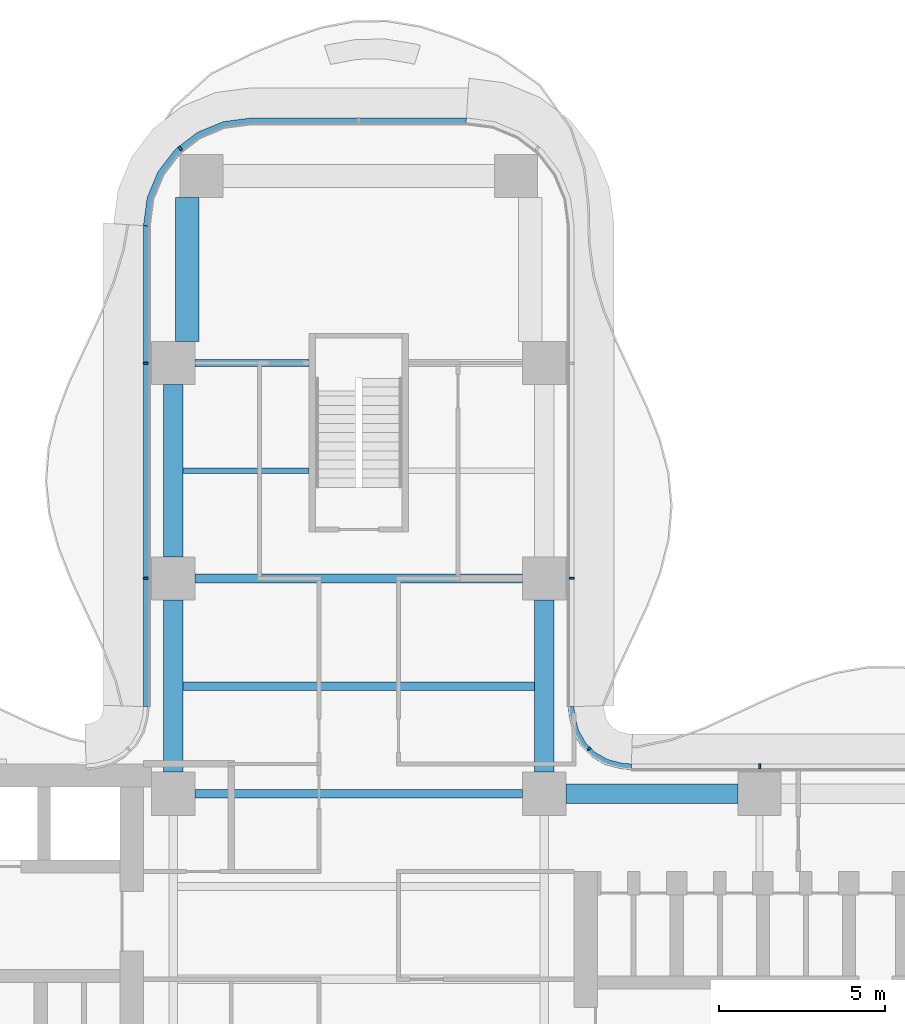
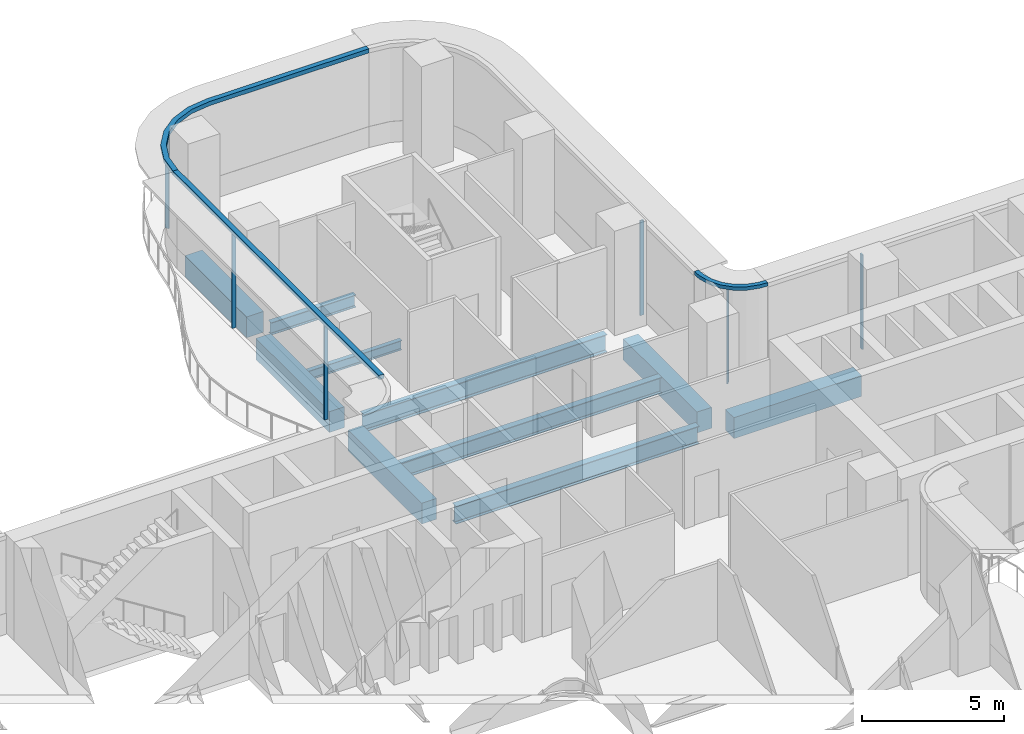
# One storey, part 9 of 21: 10 beams, 9 members, 5 elements without a shape of their own.
"""IFC4 building model written with IfcOpenShell, lengths in metres."""

import ifcopenshell
import ifcopenshell.guid

model = None  # the IFC model being written
_history = None  # IfcOwnerHistory: only IFC2X3 demands one
_inside = {}  # id of a spatial element -> (the spatial element, [elements in it])
_under = {}  # id of a project, library or spatial element -> (it, [spatial elements below it])
_declared = {}  # id of a project -> (the project, [libraries it declares])
_typed = {}  # id of a type object -> (the type object, [elements of that type])
_made_of = {}  # id of a material, layer set ... -> (it, [elements and type objects made of it])


def new_model(schema):
    """Start an empty IFC model of exactly this schema.

    Asked for "IFC4X3", IfcOpenShell would pick the latest addendum, in which some entities
    have other attributes; the version numbers below select the first issue.
    IFC2X3 requires an IfcOwnerHistory on every rooted entity: one is made here for all.
    """
    global model, _history
    if schema == "IFC4X3":
        model = ifcopenshell.file(schema_version=(4, 3, 0, 0))
    else:
        model = ifcopenshell.file(schema=schema)
    _inside.clear()
    _under.clear()
    _declared.clear()
    _typed.clear()
    _made_of.clear()
    _history = None
    if model.schema == "IFC2X3":
        org = make("IfcOrganization", Name="unknown")
        user = make(
            "IfcPersonAndOrganization",
            ThePerson=make("IfcPerson", FamilyName="unknown"),
            TheOrganization=org,
        )
        app = make(
            "IfcApplication",
            ApplicationDeveloper=org,
            Version="unknown",
            ApplicationFullName="unknown",
            ApplicationIdentifier="unknown",
        )
        _history = make(
            "IfcOwnerHistory",
            OwningUser=user,
            OwningApplication=app,
            ChangeAction="ADDED",
            CreationDate=0,
        )
    return model


def make(cls, **values):
    """One entity of the class cls with the attributes given. An attribute that is None is left unset."""
    return model.create_entity(
        cls, **{name: value for name, value in values.items() if value is not None}
    )


def rooted(cls, **values):
    """An entity with a GlobalId (a new one), such as an element, a storey or a relation."""
    return make(cls, GlobalId=ifcopenshell.guid.new(), OwnerHistory=_history, **values)


def si_unit(unit_type, name, prefix=None):
    """IfcSIUnit, for example si_unit("LENGTHUNIT", "METRE", prefix="MILLI")."""
    return make("IfcSIUnit", UnitType=unit_type, Prefix=prefix, Name=name)


def assignment(units):
    """IfcUnitAssignment: the units of a project."""
    return None if units is None else make("IfcUnitAssignment", Units=units)


def point(xyz):
    """IfcCartesianPoint."""
    return None if xyz is None else make("IfcCartesianPoint", Coordinates=xyz)


def direction(xyz):
    """IfcDirection."""
    return None if xyz is None else make("IfcDirection", DirectionRatios=xyz)


def frame(location, z_axis=None, x_axis=None):
    """IfcAxis2Placement3D, a coordinate frame: its origin and axes. An axis left out is left unset."""
    return make(
        "IfcAxis2Placement3D",
        Location=point(location),
        Axis=direction(z_axis),
        RefDirection=direction(x_axis),
    )


def frame_2d(location, x_axis=None):
    """IfcAxis2Placement2D, a coordinate frame in the plane: its origin and x axis."""
    return make(
        "IfcAxis2Placement2D", Location=point(location), RefDirection=direction(x_axis)
    )


def origin():
    """The frame at (0, 0, 0) with its axes left unset."""
    return frame((0.0, 0.0, 0.0))


def origin_2d():
    """The frame at (0, 0) in the plane with its x axis left unset."""
    return frame_2d((0.0, 0.0))


def place(relative_to, where):
    """IfcLocalPlacement: puts the frame where relative to a parent placement (None: the world)."""
    return make(
        "IfcLocalPlacement", PlacementRelTo=relative_to, RelativePlacement=where
    )


def context(
    kind, dimensions, precision=None, world=None, true_north=None, identifier=None
):
    """IfcGeometricRepresentationContext, for example the 3D "Model" context."""
    return make(
        "IfcGeometricRepresentationContext",
        ContextIdentifier=identifier,
        ContextType=kind,
        CoordinateSpaceDimension=dimensions,
        Precision=precision,
        WorldCoordinateSystem=world,
        TrueNorth=true_north,
    )


def subcontext(parent, identifier, kind, view, scale=None):
    """IfcGeometricRepresentationSubContext, for example "Body" below "Model"."""
    return make(
        "IfcGeometricRepresentationSubContext",
        ContextIdentifier=identifier,
        ContextType=kind,
        ParentContext=parent,
        TargetScale=scale,
        TargetView=view,
    )


def project(units=None, contexts=None):
    """IfcProject with its units and contexts."""
    return rooted(
        "IfcProject",
        Name="project",
        RepresentationContexts=contexts,
        UnitsInContext=assignment(units),
    )


def spatial(cls, under=None, at=None, **own):
    """A site, building, storey or space (cls), placed at a placement, below another one or the project."""
    s = rooted(cls, ObjectPlacement=at, **own)
    if under is not None:
        _under.setdefault(under.id(), (under, []))[1].append(s)
    return s


def polyline(points):
    """IfcPolyline through the points."""
    return make("IfcPolyline", Points=[point(p) for p in points])


def profile(cls, at=None, kind="AREA", **sizes):
    """A parametric profile (cls). Its sizes go by their IFC names, for example OverallWidth=200.0."""
    return make(cls, ProfileType=kind, Position=at, **sizes)


def rectangle(**sizes):
    """IfcRectangleProfileDef."""
    return profile("IfcRectangleProfileDef", **sizes)


def i_section(**sizes):
    """IfcIShapeProfileDef."""
    return profile("IfcIShapeProfileDef", **sizes)


def outline(outer, holes=None, kind="AREA"):
    """IfcArbitraryClosedProfileDef: a profile drawn as a closed curve; with holes, ...WithVoids."""
    if holes is None:
        return make("IfcArbitraryClosedProfileDef", ProfileType=kind, OuterCurve=outer)
    return make(
        "IfcArbitraryProfileDefWithVoids",
        ProfileType=kind,
        OuterCurve=outer,
        InnerCurves=holes,
    )


def extrude(swept, where, along, depth):
    """IfcExtrudedAreaSolid: the profile swept, set in the frame where, extruded along a direction by depth."""
    return make(
        "IfcExtrudedAreaSolid",
        SweptArea=swept,
        Position=where,
        ExtrudedDirection=direction(along),
        Depth=depth,
    )


def shape(context_of_items, identifier, shape_type, items):
    """IfcShapeRepresentation: the items that make up one representation, for example the "Body"."""
    return make(
        "IfcShapeRepresentation",
        ContextOfItems=context_of_items,
        RepresentationIdentifier=identifier,
        RepresentationType=shape_type,
        Items=items,
    )


def source(mapping_origin, context_of_items, identifier, shape_type, items):
    """IfcRepresentationMap: a shape defined once, which mapped items show again and again."""
    return make(
        "IfcRepresentationMap",
        MappingOrigin=mapping_origin,
        MappedRepresentation=shape(context_of_items, identifier, shape_type, items),
    )


def transform(
    local_origin,
    x_axis=None,
    y_axis=None,
    z_axis=None,
    scale=None,
    scale2=None,
    scale3=None,
    uniform=True,
):
    """IfcCartesianTransformationOperator3D, or its non-uniform kind. x_axis, y_axis, z_axis: its Axis1, 2, 3."""
    if uniform:
        return make(
            "IfcCartesianTransformationOperator3D",
            Axis1=direction(x_axis),
            Axis2=direction(y_axis),
            LocalOrigin=point(local_origin),
            Scale=scale,
            Axis3=direction(z_axis),
        )
    return make(
        "IfcCartesianTransformationOperator3DnonUniform",
        Axis1=direction(x_axis),
        Axis2=direction(y_axis),
        LocalOrigin=point(local_origin),
        Scale=scale,
        Axis3=direction(z_axis),
        Scale2=scale2,
        Scale3=scale3,
    )


def mapped(mapping_source, mapping_target):
    """IfcMappedItem: shows the shape of a source again, moved by a transform."""
    return make(
        "IfcMappedItem", MappingSource=mapping_source, MappingTarget=mapping_target
    )


def material(Name=None, Category=None):
    """IfcMaterial."""
    return make("IfcMaterial", Name=Name, Category=Category)


def layer(
    of_material, thickness, ventilated=None, Name=None, Category=None, Priority=None
):
    """IfcMaterialLayer: one layer of a wall or slab, of a material (None: an air gap)."""
    return make(
        "IfcMaterialLayer",
        Material=of_material,
        LayerThickness=thickness,
        IsVentilated=ventilated,
        Name=Name,
        Category=Category,
        Priority=Priority,
    )


def layer_set(layers, Name=None):
    """IfcMaterialLayerSet."""
    return make("IfcMaterialLayerSet", MaterialLayers=layers, LayerSetName=Name)


def material_profile(
    of_material, cross_section, Name=None, Category=None, Priority=None
):
    """IfcMaterialProfile: a cross section and its material."""
    return make(
        "IfcMaterialProfile",
        Name=Name,
        Material=of_material,
        Profile=cross_section,
        Priority=Priority,
        Category=Category,
    )


def profile_set(profiles, Name=None, composite=None):
    """IfcMaterialProfileSet."""
    return make(
        "IfcMaterialProfileSet",
        Name=Name,
        MaterialProfiles=profiles,
        CompositeProfile=composite,
    )


def made_of(thing, what):
    """Note that an element or type object is made of a material, layer set ...; save() writes the relation."""
    if what is not None:
        _made_of.setdefault(what.id(), (what, []))[1].append(thing)
    return thing


def type_object(cls, material=None, **own):
    """A type object (cls), such as IfcWallType, which elements share."""
    return made_of(rooted(cls, **own), material)


def element(
    cls,
    number,
    at=None,
    inside=None,
    cuts=None,
    type_object=None,
    material=None,
    context=None,
    identifier="Body",
    shape_type=None,
    held_by="IfcProductDefinitionShape",
    body=None,
    shapes=None,
    **own,
):
    """One element of the class cls, such as IfcWall. Its Tag is "e" and its number.

    at: its placement. inside: the storey or other place that contains it. cuts: it is an
    opening in that element (IfcRelVoidsElement). A single representation is given by context,
    identifier, shape_type and body (its items); several are given by shapes. held_by: the class
    of the entity that holds the representations. save() writes the other relations.
    """
    e = rooted(cls, Tag="e%d" % number, ObjectPlacement=at, **own)
    if body is not None:
        shapes = [shape(context, identifier, shape_type, body)]
    if shapes is not None:
        e.Representation = make(held_by, Representations=shapes)
    if inside is not None:
        _inside.setdefault(inside.id(), (inside, []))[1].append(e)
    if cuts is not None:
        rooted(
            "IfcRelVoidsElement", RelatingBuildingElement=cuts, RelatedOpeningElement=e
        )
    if type_object is not None:
        _typed.setdefault(type_object.id(), (type_object, []))[1].append(e)
    return made_of(e, material)


def aggregate(whole, parts):
    """IfcRelAggregates: a whole, such as a stair, and the parts it consists of."""
    return rooted("IfcRelAggregates", RelatingObject=whole, RelatedObjects=parts)


def save(model, path):
    """Write the relations noted so far, then the file.

    IfcRelAggregates (storeys below a building ...), IfcRelContainedInSpatialStructure (elements
    in a storey), IfcRelDefinesByType, IfcRelAssociatesMaterial and IfcRelDeclares: one each for
    every whole, place, type object, material and project.
    """
    for whole, parts in _under.values():
        aggregate(whole, parts)
    for where, things in _inside.values():
        rooted(
            "IfcRelContainedInSpatialStructure",
            RelatedElements=things,
            RelatingStructure=where,
        )
    for kind, things in _typed.values():
        rooted("IfcRelDefinesByType", RelatedObjects=things, RelatingType=kind)
    for what, things in _made_of.values():
        rooted("IfcRelAssociatesMaterial", RelatedObjects=things, RelatingMaterial=what)
    for by, libraries in _declared.values():
        rooted("IfcRelDeclares", RelatingContext=by, RelatedDefinitions=libraries)
    model.write(path)


model = new_model("IFC4")

# Units and contexts
model_context = context("Model", 3, precision=1e-05, world=origin(), true_north=direction((0.0, 1.0)))
body_context = subcontext(model_context, "Body", "Model", "MODEL_VIEW")
ifc_project = project(units=[si_unit("LENGTHUNIT", "METRE"), si_unit("AREAUNIT", "SQUARE_METRE"), si_unit("VOLUMEUNIT", "CUBIC_METRE"), si_unit("PLANEANGLEUNIT", "RADIAN"), si_unit("MASSUNIT", "GRAM", prefix="KILO")], contexts=[model_context])

# Site, building, storey
site_placement = place(None, origin())
site = spatial("IfcSite", under=ifc_project, at=site_placement, CompositionType="ELEMENT")
building_placement = place(site_placement, origin())
building = spatial("IfcBuilding", under=site, at=building_placement, Name="Trellis Farm Tower", CompositionType="ELEMENT")
storey_placement = place(building_placement, frame((0.0, 0.0, 147.0)))
storey = spatial("IfcBuildingStorey", under=building, at=storey_placement, Name="L31", CompositionType="ELEMENT", Elevation=147.0)

# Beams
ifc_material_1 = material(Name="Steel S355", Category="steel")
ifc_material_profile_1 = material_profile(ifc_material_1, i_section(OverallWidth=0.177978515625, OverallDepth=0.406494140625, WebThickness=0.0078125, FlangeThickness=0.0126953125, FilletRadius=0.01025390625, at=origin_2d()), Name="UB 406x178x60")
ifc_profile_set_1 = profile_set([ifc_material_profile_1], Name="Steel S355")
beam_type_1 = type_object("IfcBeamType", Name="UB 406x178x60 joist", PredefinedType="JOIST", material=ifc_profile_set_1)
shared_shape_1 = source(origin(), body_context, "Body", "SweptSolid", [
    extrude(i_section(OverallWidth=0.177978515625, OverallDepth=0.406494140625, WebThickness=0.0078125, FlangeThickness=0.0126953125, FilletRadius=0.01025390625, at=origin_2d()), origin(), (0.0, 0.0, 1.0), 3.800048828125),
])
beam_1_placement = place(storey_placement, frame((-5.300048828125, 15.35009765625, -0.453125), z_axis=(1.0, 0.0, 0.0), x_axis=(0.0, 1.0, 0.0)))
element("IfcBeam", 1, at=beam_1_placement, inside=storey, type_object=beam_type_1, Name="Floor beam", PredefinedType="JOIST", context=body_context, shape_type="MappedRepresentation", body=[
    mapped(shared_shape_1, transform((0.0, 0.0, 0.0))),
])
ifc_material_profile_2 = material_profile(ifc_material_1, i_section(OverallWidth=0.253662109375, OverallDepth=0.68359375, WebThickness=0.012451171875, FlangeThickness=0.021728515625, FilletRadius=0.01513671875, at=origin_2d()), Name="UB 686x254x140")
ifc_profile_set_2 = profile_set([ifc_material_profile_2], Name="Steel S355")
beam_type_2 = type_object("IfcBeamType", Name="UB 686x254x140 joist", PredefinedType="JOIST", material=ifc_profile_set_2)
shared_shape_2 = source(origin(), body_context, "Body", "SweptSolid", [
    extrude(i_section(OverallWidth=0.253662109375, OverallDepth=0.68359375, WebThickness=0.012451171875, FlangeThickness=0.021728515625, FilletRadius=0.01513671875, at=origin_2d()), origin(), (0.0, 0.0, 1.0), 10.60009765625),
])
beam_2_placement = place(storey_placement, frame((-5.300048828125, 8.85009765625, -0.591796875), z_axis=(1.0, 0.0, 0.0), x_axis=(0.0, 1.0, 0.0)))
element("IfcBeam", 2, at=beam_2_placement, inside=storey, type_object=beam_type_2, Name="Floor beam", PredefinedType="JOIST", context=body_context, shape_type="MappedRepresentation", body=[
    mapped(shared_shape_2, transform((0.0, 0.0, 0.0))),
])
ifc_material_profile_3 = material_profile(ifc_material_1, i_section(OverallWidth=0.209228515625, OverallDepth=0.533203125, WebThickness=0.010009765625, FlangeThickness=0.015625, FilletRadius=0.0126953125, at=origin_2d()), Name="UB 533x210x92")
ifc_profile_set_3 = profile_set([ifc_material_profile_3], Name="Steel S355")
beam_type_3 = type_object("IfcBeamType", Name="UB 533x210x92", PredefinedType="BEAM", material=ifc_profile_set_3)
shared_shape_3 = source(origin(), body_context, "Body", "SweptSolid", [
    extrude(i_section(OverallWidth=0.209228515625, OverallDepth=0.533203125, WebThickness=0.010009765625, FlangeThickness=0.015625, FilletRadius=0.0126953125, at=origin_2d()), origin(), (0.0, 0.0, 1.0), 3.449951171875),
])
beam_3_placement = place(storey_placement, frame((-4.949951171875, 18.60009765625, -0.5166015625), z_axis=(1.0, 0.0, 0.0), x_axis=(0.0, 1.0, 0.0)))
element("IfcBeam", 3, at=beam_3_placement, inside=storey, type_object=beam_type_3, Name="Girder", PredefinedType="BEAM", context=body_context, shape_type="MappedRepresentation", body=[
    mapped(shared_shape_3, transform((0.0, 0.0, 0.0))),
])
ifc_material_profile_4 = material_profile(ifc_material_1, i_section(OverallWidth=0.2666015625, OverallDepth=0.76220703125, WebThickness=0.014404296875, FlangeThickness=0.021484375, FilletRadius=0.0166015625, at=origin_2d()), Name="UB 762x267x173")
ifc_profile_set_4 = profile_set([ifc_material_profile_4], Name="Steel S355")
beam_type_4 = type_object("IfcBeamType", Name="UB 762x267x173", PredefinedType="BEAM", material=ifc_profile_set_4)
shared_shape_4 = source(origin(), body_context, "Body", "SweptSolid", [
    extrude(i_section(OverallWidth=0.2666015625, OverallDepth=0.76220703125, WebThickness=0.014404296875, FlangeThickness=0.021484375, FilletRadius=0.0166015625, at=origin_2d()), origin(), (0.0, 0.0, 1.0), 9.89990234375),
])
for number, where, z_axis, x_axis, name in (
    (4, (-4.949951171875, 5.60009765625, -0.631103515625), (1.0, 0.0, 0.0), (0.0, 1.0, 0.0), "Girder"),
    (5, (-4.949951171875, 12.10009765625, -0.631103515625), (1.0, 0.0, 0.0), (0.0, 1.0, 0.0), "Girder"),
):
    element("IfcBeam", number, at=place(storey_placement, frame(where, z_axis=z_axis, x_axis=x_axis)), inside=storey, type_object=beam_type_4, Name=name, PredefinedType="BEAM", context=body_context, shape_type="MappedRepresentation", body=[
        mapped(shared_shape_4, transform((0.0, 0.0, 0.0))),
    ])
ifc_material_2 = material(Name="Concrete C60/75", Category="concrete")
ifc_material_profile_5 = material_profile(ifc_material_2, rectangle(XDim=0.60009765625, YDim=0.89990234375, at=origin_2d()), Name="RC spandrel beam 600x900 C60/75")
ifc_profile_set_5 = profile_set([ifc_material_profile_5], Name="Concrete C60/75")
beam_type_5 = type_object("IfcBeamType", Name="RC spandrel beam 600x900 C60/75", PredefinedType="SPANDREL", material=ifc_profile_set_5)
shared_shape_5 = source(origin(), body_context, "Body", "SweptSolid", [
    extrude(rectangle(XDim=0.60009765625, YDim=0.89990234375, at=origin_2d()), origin(), (0.0, 0.0, 1.0), 5.199951171875),
])
for number, where, z_axis, x_axis, name in (
    (6, (6.25, 5.60009765625, -0.699951171875), (1.0, 0.0, 0.0), (0.0, 1.0, 0.0), "Girder"),
    (7, (-5.60009765625, 6.25, -0.699951171875), (0.0, 1.0, 0.0), (-1.0, 0.0, 0.0), "Girder"),
    (8, (-5.60009765625, 12.75, -0.699951171875), (0.0, 1.0, 0.0), (-1.0, 0.0, 0.0), "Girder"),
    (9, (5.60009765625, 6.25, -0.699951171875), (0.0, 1.0, 0.0), (-1.0, 0.0, 0.0), "Girder"),
):
    element("IfcBeam", number, at=place(storey_placement, frame(where, z_axis=z_axis, x_axis=x_axis)), inside=storey, type_object=beam_type_5, Name=name, PredefinedType="SPANDREL", context=body_context, shape_type="MappedRepresentation", body=[
        mapped(shared_shape_5, transform((0.0, 0.0, 0.0))),
    ])
ifc_material_profile_6 = material_profile(ifc_material_2, rectangle(XDim=0.699951171875, YDim=0.89990234375, at=origin_2d()), Name="RC spandrel beam 700x900 C60/75")
ifc_profile_set_6 = profile_set([ifc_material_profile_6], Name="Concrete C60/75")
beam_type_6 = type_object("IfcBeamType", Name="RC spandrel beam 700x900 C60/75", PredefinedType="SPANDREL", material=ifc_profile_set_6)
shared_shape_6 = source(origin(), body_context, "Body", "SweptSolid", [
    extrude(rectangle(XDim=0.699951171875, YDim=0.89990234375, at=origin_2d()), origin(), (0.0, 0.0, 1.0), 4.35009765625),
])
beam_4_placement = place(storey_placement, frame((-5.175048828125, 19.25, -0.699951171875), z_axis=(0.0, 1.0, 0.0), x_axis=(-1.0, 0.0, 0.0)))
element("IfcBeam", 10, at=beam_4_placement, inside=storey, type_object=beam_type_6, Name="Girder", PredefinedType="SPANDREL", context=body_context, shape_type="MappedRepresentation", body=[
    mapped(shared_shape_6, transform((0.0, 0.0, 0.0))),
])

# Curtain wall, member
ifc_material_3 = material(Name="Aluminium and glass curtain wall", Category="aluminium")
ifc_layer_1 = layer(ifc_material_3, 0.18994140625)
ifc_layer_set_1 = layer_set([ifc_layer_1], Name="RIBBON CURTAIN WALL CW1")
curtain_wall_type_1 = type_object("IfcCurtainWallType", Name="RIBBON CURTAIN WALL CW1", PredefinedType="NOTDEFINED", material=ifc_layer_set_1)
placement_1 = place(storey_placement, origin())
curtain_wall_1 = element("IfcCurtainWall", 11, at=placement_1, inside=storey, type_object=curtain_wall_type_1, Name="CW1 008", PredefinedType="NOTDEFINED")
ifc_material_4 = material(Name="Aluminium extrusion 6063-T6", Category="aluminium")
ifc_material_profile_7 = material_profile(ifc_material_4, rectangle(XDim=0.06005859375, YDim=0.14990234375, at=origin_2d()), Name="MULLION 60x150")
ifc_profile_set_7 = profile_set([ifc_material_profile_7], Name="Aluminium extrusion 6063-T6")
member_type_1 = type_object("IfcMemberType", Name="CW1 MULLION 60x150", PredefinedType="MULLION", material=ifc_profile_set_7)
shared_shape_7 = source(origin(), body_context, "Body", "SweptSolid", [
    extrude(rectangle(XDim=0.06005859375, YDim=0.14990234375, at=origin_2d()), origin(), (0.0, 0.0, 1.0), 4.070068359375),
])
member_1_placement = place(storey_placement, frame((12.10009765625, 6.425048828125, 0.0), z_axis=(0.0, 0.0, 1.0), x_axis=(-1.0, 0.0, 0.0)))
member_1 = element("IfcMember", 12, at=member_1_placement, type_object=member_type_1, Name="MU1 008-02", PredefinedType="MULLION", context=body_context, shape_type="MappedRepresentation", body=[
    mapped(shared_shape_7, transform((0.0, 0.0, 0.0))),
])
aggregate(curtain_wall_1, [member_1])

curtain_wall_2 = element("IfcCurtainWall", 13, at=placement_1, inside=storey, type_object=curtain_wall_type_1, Name="CW1 009", PredefinedType="NOTDEFINED")
member_2_placement = place(storey_placement, frame((6.425048828125, 12.10009765625, 0.0), z_axis=(0.0, 0.0, 1.0), x_axis=(0.0, 1.0, 0.0)))
member_2 = element("IfcMember", 14, at=member_2_placement, type_object=member_type_1, Name="MU1 009-01", PredefinedType="MULLION", context=body_context, shape_type="MappedRepresentation", body=[
    mapped(shared_shape_7, transform((0.0, 0.0, 0.0))),
])
aggregate(curtain_wall_2, [member_2])

curtain_wall_3 = element("IfcCurtainWall", 15, at=placement_1, inside=storey, type_object=curtain_wall_type_1, Name="CW1 010", PredefinedType="NOTDEFINED")
member_3_placement = place(storey_placement, frame((-5.385498046875, 25.078369140625, 0.0), z_axis=(0.0, 0.0, 1.0), x_axis=(-0.793353340291, -0.608761429009, 0.0)))
member_3 = element("IfcMember", 16, at=member_3_placement, type_object=member_type_1, Name="MU1 010-02", PredefinedType="MULLION", context=body_context, shape_type="MappedRepresentation", body=[
    mapped(shared_shape_7, transform((0.0, 0.0, 0.0))),
])

# Curtain wall, members
curtain_wall_4 = element("IfcCurtainWall", 17, at=placement_1, inside=storey, type_object=curtain_wall_type_1, Name="CW1 011", PredefinedType="NOTDEFINED")
member_4_placement = place(storey_placement, frame((-6.425048828125, 18.60009765625, 0.0), z_axis=(0.0, 0.0, 1.0), x_axis=(0.0, -1.0, 0.0)))
member_4 = element("IfcMember", 18, at=member_4_placement, type_object=member_type_1, Name="MU1 011-01", PredefinedType="MULLION", context=body_context, shape_type="MappedRepresentation", body=[
    mapped(shared_shape_7, transform((0.0, 0.0, 0.0))),
])
member_5_placement = place(storey_placement, frame((-6.425048828125, 12.10009765625, 0.0), z_axis=(0.0, 0.0, 1.0), x_axis=(0.0, -1.0, 0.0)))
member_5 = element("IfcMember", 19, at=member_5_placement, type_object=member_type_1, Name="MU1 011-02", PredefinedType="MULLION", context=body_context, shape_type="MappedRepresentation", body=[
    mapped(shared_shape_7, transform((0.0, 0.0, 0.0))),
])

ifc_layer_2 = layer(ifc_material_3, 0.166015625)
ifc_layer_set_2 = layer_set([ifc_layer_2], Name="WINTER GARDEN CURTAIN WALL CW3")
curtain_wall_type_2 = type_object("IfcCurtainWallType", Name="WINTER GARDEN CURTAIN WALL CW3", PredefinedType="NOTDEFINED", material=ifc_layer_set_2)
curtain_wall_5 = element("IfcCurtainWall", 20, at=placement_1, inside=storey, type_object=curtain_wall_type_2, Name="CW3 003", PredefinedType="NOTDEFINED")
ifc_material_profile_8 = material_profile(ifc_material_4, rectangle(XDim=0.050048828125, YDim=0.1201171875, at=origin_2d()), Name="MULLION 50x120")
ifc_profile_set_8 = profile_set([ifc_material_profile_8], Name="Aluminium extrusion 6063-T6")
member_type_2 = type_object("IfcMemberType", Name="CW3 MULLION 50x120", PredefinedType="MULLION", material=ifc_profile_set_8)
shared_shape_8 = source(origin(), body_context, "Body", "SweptSolid", [
    extrude(rectangle(XDim=0.050048828125, YDim=0.1201171875, at=origin_2d()), origin(), (0.0, 0.0, 1.0), 4.10009765625),
])
member_6_placement = place(storey_placement, frame((6.953125, 6.953125, 0.0), z_axis=(0.0, 0.0, 1.0), x_axis=(-0.707106781187, 0.707106781187, 0.0)))
member_6 = element("IfcMember", 21, at=member_6_placement, type_object=member_type_2, Name="MU3 003-01", PredefinedType="MULLION", context=body_context, shape_type="MappedRepresentation", body=[
    mapped(shared_shape_8, transform((0.0, 0.0, 0.0))),
])
ifc_layer_3 = layer(ifc_material_4, 0.169921875)
ifc_layer_set_3 = layer_set([ifc_layer_3], Name="Aluminium extrusion 6063-T6")
member_type_3 = type_object("IfcMemberType", Name="CW3 TRANSOM 170x150", PredefinedType="USERDEFINED", material=ifc_layer_set_3)
shared_shape_9 = source(origin(), body_context, "Body", "SweptSolid", [
    extrude(outline(polyline([(8.2314453125, 6.5), (8.01953125, 6.513916015625), (7.91552734375, 6.527587890625), (7.508544921875, 6.63671875), (7.144287109375, 6.846923828125), (6.846923828125, 7.144287109375), (6.63671875, 7.508544921875), (6.527587890625, 7.91552734375), (6.513916015625, 8.01953125), (6.5, 8.2314453125), (6.330078125, 8.225830078125), (6.3447265625, 8.0029296875), (6.360595703125, 7.88232421875), (6.478271484375, 7.44287109375), (6.7109375, 7.0400390625), (7.0400390625, 6.7109375), (7.44287109375, 6.478271484375), (7.88232421875, 6.360595703125), (8.0029296875, 6.3447265625), (8.225830078125, 6.330078125), (8.2314453125, 6.5)])), origin(), (0.0, 0.0, 1.0), 0.14990234375),
])
member_7_placement = place(storey_placement, frame((0.0, 0.0, 4.10009765625)))
member_7 = element("IfcMember", 22, at=member_7_placement, type_object=member_type_3, Name="TR3 003", ObjectType="TRANSOM", PredefinedType="USERDEFINED", context=body_context, shape_type="MappedRepresentation", body=[
    mapped(shared_shape_9, transform((0.0, 0.0, 0.0))),
])
aggregate(curtain_wall_5, [member_6, member_7])

# Member
ifc_layer_4 = layer(ifc_material_4, 0.199951171875)
ifc_layer_set_4 = layer_set([ifc_layer_4], Name="Aluminium extrusion 6063-T6")
member_type_4 = type_object("IfcMemberType", Name="CW1 TRANSOM 200x180", PredefinedType="USERDEFINED", material=ifc_layer_set_4)
shared_shape_10 = source(origin(), body_context, "Body", "SweptSolid", [
    extrude(outline(polyline([(-6.5, 22.75), (-6.5, 8.2314453125), (-6.300048828125, 8.224853515625), (-6.300048828125, 22.73681640625), (-6.5, 22.75)])), origin(), (0.0, 0.0, 1.0), 0.179931640625),
])
placement_2 = place(storey_placement, frame((0.0, 0.0, 4.070068359375)))
member_8 = element("IfcMember", 23, at=placement_2, type_object=member_type_4, Name="TR1 011", ObjectType="TRANSOM", PredefinedType="USERDEFINED", context=body_context, shape_type="MappedRepresentation", body=[
    mapped(shared_shape_10, transform((0.0, 0.0, 0.0))),
])

aggregate(curtain_wall_4, [member_4, member_5, member_8])

shared_shape_11 = source(origin(), body_context, "Body", "SweptSolid", [
    extrude(outline(polyline([(3.25, 26.0), (-3.25, 26.0), (-4.091064453125, 25.88916015625), (-4.875, 25.564697265625), (-5.548095703125, 25.048095703125), (-6.064697265625, 24.375), (-6.38916015625, 23.591064453125), (-6.5, 22.75), (-6.300048828125, 22.73681640625), (-6.1943359375, 23.5390625), (-5.889892578125, 24.274169921875), (-5.405517578125, 24.905517578125), (-4.774169921875, 25.389892578125), (-4.0390625, 25.6943359375), (-3.23681640625, 25.800048828125), (3.23681640625, 25.800048828125), (3.25, 26.0)])), origin(), (0.0, 0.0, 1.0), 0.179931640625),
])
member_9 = element("IfcMember", 24, at=placement_2, type_object=member_type_4, Name="TR1 010", ObjectType="TRANSOM", PredefinedType="USERDEFINED", context=body_context, shape_type="MappedRepresentation", body=[
    mapped(shared_shape_11, transform((0.0, 0.0, 0.0))),
])

aggregate(curtain_wall_3, [member_3, member_9])

save(model, "model.ifc")
